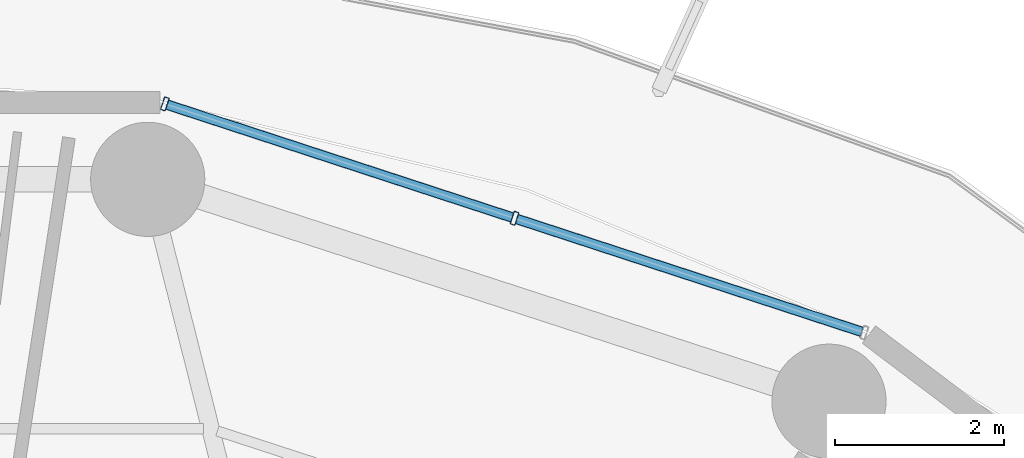
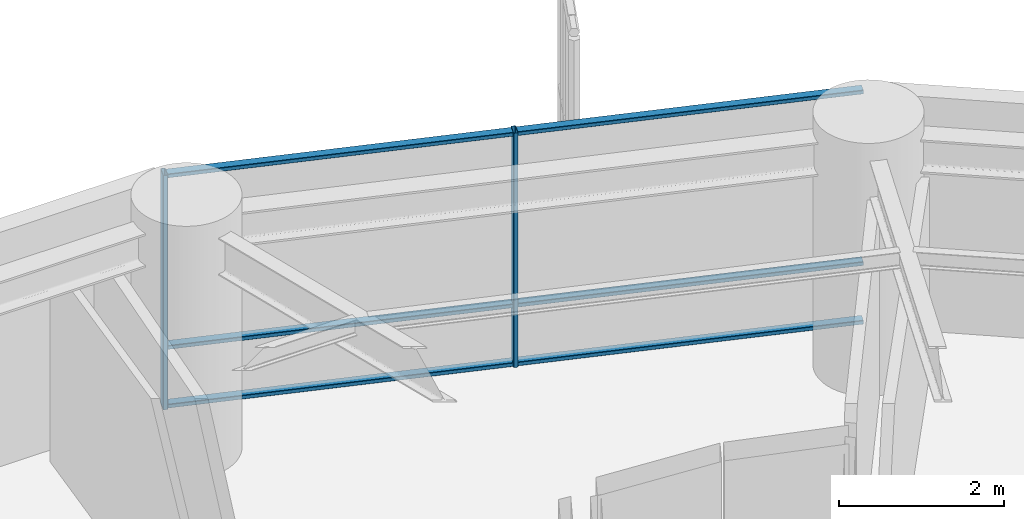
# One storey, part 21 of 33: 8 members, 1 element without a shape of its own.
"""IFC4 building model written with IfcOpenShell, lengths in metres."""

from ifc_helpers import new_model, si_unit, direction, frame, origin, origin_2d, place, context, subcontext, project, spatial, hollow_rectangle, extrude, material, layer, layer_set, material_profile, profile_set, type_object, element, aggregate, save


model = new_model("IFC4")

# Units and contexts
model_context = context("Model", 3, precision=1e-05, world=origin(), true_north=direction((0.0, 1.0)))
body_context = subcontext(model_context, "Body", "Model", "MODEL_VIEW")
ifc_project = project(units=[si_unit("LENGTHUNIT", "METRE"), si_unit("AREAUNIT", "SQUARE_METRE"), si_unit("VOLUMEUNIT", "CUBIC_METRE"), si_unit("PLANEANGLEUNIT", "RADIAN"), si_unit("MASSUNIT", "GRAM", prefix="KILO")], contexts=[model_context])

# Site, building, storey
site_placement = place(None, origin())
site = spatial("IfcSite", under=ifc_project, at=site_placement, CompositionType="ELEMENT")
building_placement = place(site_placement, origin())
building = spatial("IfcBuilding", under=site, at=building_placement, Name="Kelanora Arch Commons", CompositionType="ELEMENT")
storey_placement = place(building_placement, frame((0.0, 0.0, 83.85009765625)))
storey = spatial("IfcBuildingStorey", under=building, at=storey_placement, Name="L21", CompositionType="ELEMENT", Elevation=83.85009765625)

# Curtain wall, members
ifc_material_1 = material(Name="Terracotta ceramic-fritted low-E glass and aluminium", Category="masonry")
ifc_layer = layer(ifc_material_1, 0.159912109375)
ifc_layer_set = layer_set([ifc_layer], Name="Terracotta ceramic-fritted low-E glass and aluminium")
curtain_wall_type = type_object("IfcCurtainWallType", Name="CW-SYS-01", PredefinedType="NOTDEFINED", material=ifc_layer_set)
curtain_wall_placement = place(storey_placement, origin())
curtain_wall = element("IfcCurtainWall", 1, at=curtain_wall_placement, inside=storey, type_object=curtain_wall_type, Name="Unitised Curtain Wall L21-B03", PredefinedType="NOTDEFINED")
ifc_material_2 = material(Name="Powder-coated aluminium terracotta", Category="masonry")
ifc_material_profile_1 = material_profile(ifc_material_2, hollow_rectangle(XDim=0.159912109375, YDim=0.06005859375, WallThickness=0.0048828125, InnerFilletRadius=0.0048828125, OuterFilletRadius=0.010009765625, at=origin_2d()), Name="CWM160x60")
ifc_profile_set_1 = profile_set([ifc_material_profile_1], Name="Powder-coated aluminium terracotta")
member_type_1 = type_object("IfcMemberType", Name="CWM-STD", PredefinedType="MULLION", material=ifc_profile_set_1)
member_1_placement = place(storey_placement, frame((82.622802734375, 79.28466796875, 0.0), z_axis=(0.0, 0.0, 1.0), x_axis=(-0.31080470294, -0.950473795867, 0.0)))
member_1 = element("IfcMember", 2, at=member_1_placement, type_object=member_type_1, Name="CW-01 mullion 2", PredefinedType="MULLION", context=body_context, shape_type="SweptSolid", body=[
    extrude(hollow_rectangle(XDim=0.159912109375, YDim=0.06005859375, WallThickness=0.0048828125, InnerFilletRadius=0.0048828125, OuterFilletRadius=0.010009765625, at=origin_2d()), origin(), (0.0, 0.0, 1.0), 3.474853515625),
])
member_2_placement = place(storey_placement, frame((78.48828125, 80.636474609375, 0.0), z_axis=(0.0, 0.0, 1.0), x_axis=(-0.31080470294, -0.950473795867, 0.0)))
member_2 = element("IfcMember", 3, at=member_2_placement, type_object=member_type_1, Name="CW-01 mullion 3", PredefinedType="MULLION", context=body_context, shape_type="SweptSolid", body=[
    extrude(hollow_rectangle(XDim=0.159912109375, YDim=0.06005859375, WallThickness=0.0048828125, InnerFilletRadius=0.0048828125, OuterFilletRadius=0.010009765625, at=origin_2d()), origin(), (0.0, 0.0, 1.0), 3.474853515625),
])
ifc_material_profile_2 = material_profile(ifc_material_2, hollow_rectangle(XDim=0.1201171875, YDim=0.06005859375, WallThickness=0.0048828125, InnerFilletRadius=0.0048828125, OuterFilletRadius=0.010009765625, at=origin_2d()), Name="CWT120x60")
ifc_profile_set_2 = profile_set([ifc_material_profile_2], Name="Powder-coated aluminium terracotta")
member_type_2 = type_object("IfcMemberType", Name="CWT-STD", PredefinedType="USERDEFINED", material=ifc_profile_set_2)
member_3_placement = place(storey_placement, frame((86.728759765625, 77.94189453125, 0.02978515625), z_axis=(-0.950466230394, 0.310827838008, 0.0), x_axis=(-0.310827838008, -0.950466230394, 0.0)))
member_3 = element("IfcMember", 4, at=member_3_placement, type_object=member_type_2, Name="CW-01 transom 1.1", ObjectType="TRANSOM", PredefinedType="USERDEFINED", context=body_context, shape_type="SweptSolid", body=[
    extrude(hollow_rectangle(XDim=0.1201171875, YDim=0.06005859375, WallThickness=0.0048828125, InnerFilletRadius=0.0048828125, OuterFilletRadius=0.010009765625, at=origin_2d()), origin(), (0.0, 0.0, 1.0), 4.2900390625),
])
member_4_placement = place(storey_placement, frame((86.728759765625, 77.94189453125, 0.89990234375), z_axis=(-0.950466230394, 0.310827838008, 0.0), x_axis=(-0.310827838008, -0.950466230394, 0.0)))
member_4 = element("IfcMember", 5, at=member_4_placement, type_object=member_type_2, Name="CW-01 transom 1.2", ObjectType="TRANSOM", PredefinedType="USERDEFINED", context=body_context, shape_type="SweptSolid", body=[
    extrude(hollow_rectangle(XDim=0.1201171875, YDim=0.06005859375, WallThickness=0.0048828125, InnerFilletRadius=0.0048828125, OuterFilletRadius=0.010009765625, at=origin_2d()), origin(), (0.0, 0.0, 1.0), 4.2900390625),
])
member_5_placement = place(storey_placement, frame((86.728759765625, 77.94189453125, 3.44482421875), z_axis=(-0.950466230394, 0.310827838008, 0.0), x_axis=(-0.310827838008, -0.950466230394, 0.0)))
member_5 = element("IfcMember", 6, at=member_5_placement, type_object=member_type_2, Name="CW-01 transom 1.3", ObjectType="TRANSOM", PredefinedType="USERDEFINED", context=body_context, shape_type="SweptSolid", body=[
    extrude(hollow_rectangle(XDim=0.1201171875, YDim=0.06005859375, WallThickness=0.0048828125, InnerFilletRadius=0.0048828125, OuterFilletRadius=0.010009765625, at=origin_2d()), origin(), (0.0, 0.0, 1.0), 4.2900390625),
])
member_6_placement = place(storey_placement, frame((82.59423828125, 79.2939453125, 0.02978515625), z_axis=(-0.950477544745, 0.31079323824, 0.0), x_axis=(-0.31079323824, -0.950477544745, 0.0)))
member_6 = element("IfcMember", 7, at=member_6_placement, type_object=member_type_2, Name="CW-01 transom 2.1", ObjectType="TRANSOM", PredefinedType="USERDEFINED", context=body_context, shape_type="SweptSolid", body=[
    extrude(hollow_rectangle(XDim=0.1201171875, YDim=0.06005859375, WallThickness=0.0048828125, InnerFilletRadius=0.0048828125, OuterFilletRadius=0.010009765625, at=origin_2d()), origin(), (0.0, 0.0, 1.0), 4.289794921875),
])
member_7_placement = place(storey_placement, frame((82.59423828125, 79.2939453125, 0.89990234375), z_axis=(-0.950477544745, 0.31079323824, 0.0), x_axis=(-0.31079323824, -0.950477544745, 0.0)))
member_7 = element("IfcMember", 8, at=member_7_placement, type_object=member_type_2, Name="CW-01 transom 2.2", ObjectType="TRANSOM", PredefinedType="USERDEFINED", context=body_context, shape_type="SweptSolid", body=[
    extrude(hollow_rectangle(XDim=0.1201171875, YDim=0.06005859375, WallThickness=0.0048828125, InnerFilletRadius=0.0048828125, OuterFilletRadius=0.010009765625, at=origin_2d()), origin(), (0.0, 0.0, 1.0), 4.289794921875),
])
member_8_placement = place(storey_placement, frame((82.59423828125, 79.2939453125, 3.44482421875), z_axis=(-0.950477544745, 0.31079323824, 0.0), x_axis=(-0.31079323824, -0.950477544745, 0.0)))
member_8 = element("IfcMember", 9, at=member_8_placement, type_object=member_type_2, Name="CW-01 transom 2.3", ObjectType="TRANSOM", PredefinedType="USERDEFINED", context=body_context, shape_type="SweptSolid", body=[
    extrude(hollow_rectangle(XDim=0.1201171875, YDim=0.06005859375, WallThickness=0.0048828125, InnerFilletRadius=0.0048828125, OuterFilletRadius=0.010009765625, at=origin_2d()), origin(), (0.0, 0.0, 1.0), 4.289794921875),
])
aggregate(curtain_wall, [member_1, member_2, member_3, member_4, member_5, member_6, member_7, member_8])

save(model, "model.ifc")
